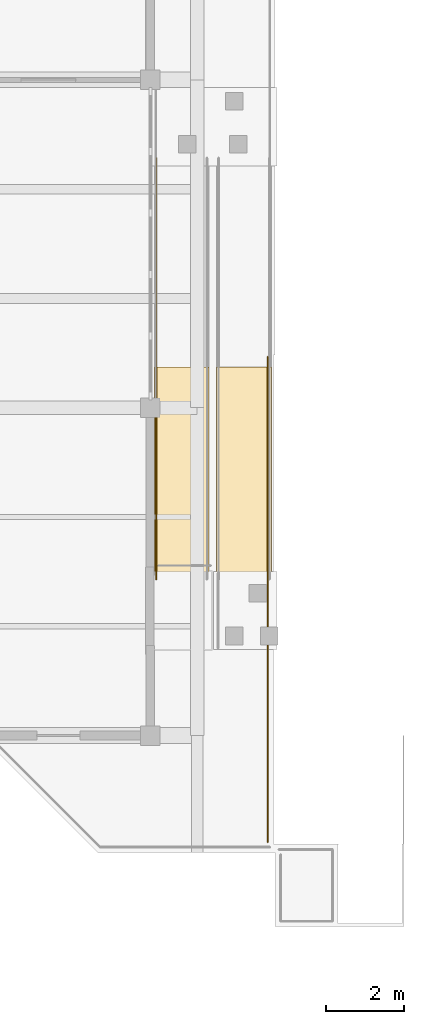
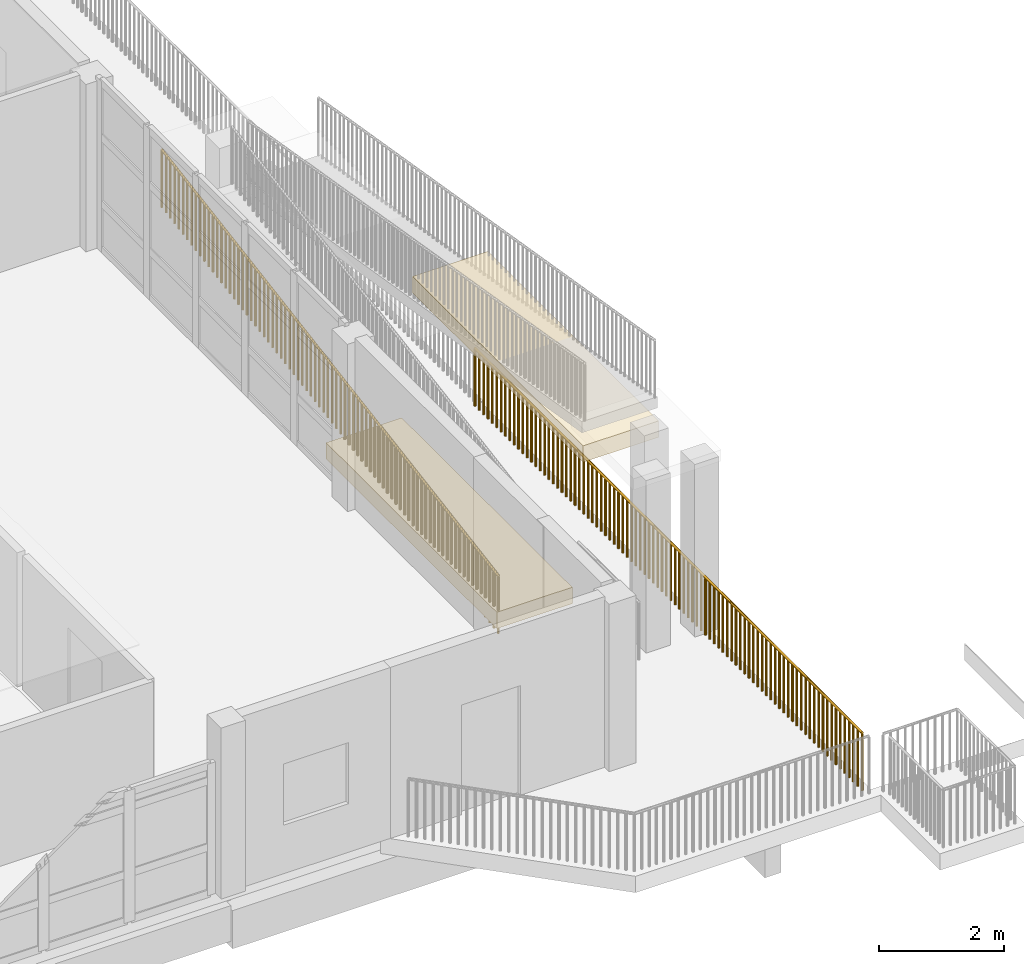
# One storey, part 30 of 33: 2 coverings, 2 railings.
"""IFC4 building model written with IfcOpenShell, lengths in metres."""

from ifc_helpers import new_model, si_unit, direction, frame, origin, origin_2d, place, context, subcontext, project, spatial, rectangle, circle, extrude, material, layer, layer_set, type_object, element, save


model = new_model("IFC4")

# Units and contexts
model_context = context("Model", 3, precision=1e-05, world=origin(), true_north=direction((0.0, 1.0)))
body_context = subcontext(model_context, "Body", "Model", "MODEL_VIEW")
ifc_project = project(units=[si_unit("LENGTHUNIT", "METRE"), si_unit("AREAUNIT", "SQUARE_METRE"), si_unit("VOLUMEUNIT", "CUBIC_METRE"), si_unit("PLANEANGLEUNIT", "RADIAN"), si_unit("MASSUNIT", "GRAM", prefix="KILO")], contexts=[model_context])

# Site, building, storey
site_placement = place(None, origin())
site = spatial("IfcSite", under=ifc_project, at=site_placement, CompositionType="ELEMENT")
building_placement = place(site_placement, origin())
building = spatial("IfcBuilding", under=site, at=building_placement, Name="Vanh Quang Courtyard School", CompositionType="ELEMENT")
storey_placement = place(building_placement, frame((0.0, 0.0, 18.60009765625)))
storey = spatial("IfcBuildingStorey", under=building, at=storey_placement, Name="L05", CompositionType="ELEMENT", Elevation=18.60009765625)

# Coverings
ifc_material_1 = material(Name="Board-marked precast concrete C40/50", Category="concrete")
ifc_layer = layer(ifc_material_1, 0.239990234375)
ifc_layer_set = layer_set([ifc_layer], Name="Board-marked precast concrete C40/50")
covering_type = type_object("IfcCoveringType", Name="COV-HOOD-CONC", PredefinedType="CLADDING", material=ifc_layer_set)
for number, where, z_axis, x_axis, name in (
    (1, (110.60009765625, 78.10009765625, 0.1298828125), (0.0, 0.0, 1.0), (1.0, 0.0, 0.0), "Covering CH-01 (L05)"),
    (2, (112.199951171875, 78.10009765625, 2.830078125), (0.0, 0.0, 1.0), (1.0, 0.0, 0.0), "Covering CH-01 (L05)"),
):
    element("IfcCovering", number, at=place(storey_placement, frame(where, z_axis=z_axis, x_axis=x_axis)), inside=storey, type_object=covering_type, Name=name, PredefinedType="CLADDING", context=body_context, shape_type="SweptSolid", body=[
        extrude(rectangle(XDim=1.39990234375, YDim=5.47998046875, at=origin_2d()), origin(), (0.0, 0.0, 1.0), 0.320068359375),
    ])

# Railings
ifc_material_2 = material(Name="Galvanised painted steel EN 10025-2 S355J2", Category="steel")
railing_type = type_object("IfcRailingType", Name="RAIL-GUARD-1150", PredefinedType="BALUSTRADE", material=ifc_material_2)
railing_1_placement = place(storey_placement, frame((112.81005859375, 81.10009765625, 0.0)))
element("IfcRailing", 3, at=railing_1_placement, inside=storey, type_object=railing_type, Name="Railing GR-01 (L05)", PredefinedType="BALUSTRADE", context=body_context, shape_type="SweptSolid", body=[
    extrude(circle(Radius=0.02392578125, at=origin_2d()), frame((0.0, 0.0, 1.1259765625), z_axis=(0.0, -1.0, 0.0), x_axis=(1.0, 0.0, 0.0)), (0.0, 0.0, 1.0), 12.43017578125),
    extrude(circle(Radius=0.02099609375, at=origin_2d()), origin(), (0.0, 0.0, 1.0), 1.101806640625),
    extrude(circle(Radius=0.02099609375, at=origin_2d()), frame((0.0, -0.1396484375, 0.0)), (0.0, 0.0, 1.0), 1.101806640625),
    extrude(circle(Radius=0.02099609375, at=origin_2d()), frame((0.0, -0.279296875, 0.0)), (0.0, 0.0, 1.0), 1.101806640625),
    extrude(circle(Radius=0.02099609375, at=origin_2d()), frame((0.0, -0.4189453125, 0.0)), (0.0, 0.0, 1.0), 1.101806640625),
    extrude(circle(Radius=0.02099609375, at=origin_2d()), frame((0.0, -0.55859375, 0.0)), (0.0, 0.0, 1.0), 1.101806640625),
    extrude(circle(Radius=0.02099609375, at=origin_2d()), frame((0.0, -0.6982421875, 0.0)), (0.0, 0.0, 1.0), 1.101806640625),
    extrude(circle(Radius=0.02099609375, at=origin_2d()), frame((0.0, -0.837890625, 0.0)), (0.0, 0.0, 1.0), 1.101806640625),
    extrude(circle(Radius=0.02099609375, at=origin_2d()), frame((0.0, -0.9775390625, 0.0)), (0.0, 0.0, 1.0), 1.101806640625),
    extrude(circle(Radius=0.02099609375, at=origin_2d()), frame((0.0, -1.117431640625, 0.0)), (0.0, 0.0, 1.0), 1.101806640625),
    extrude(circle(Radius=0.02099609375, at=origin_2d()), frame((0.0, -1.257080078125, 0.0)), (0.0, 0.0, 1.0), 1.101806640625),
    extrude(circle(Radius=0.02099609375, at=origin_2d()), frame((0.0, -1.396728515625, 0.0)), (0.0, 0.0, 1.0), 1.101806640625),
    extrude(circle(Radius=0.02099609375, at=origin_2d()), frame((0.0, -1.536376953125, 0.0)), (0.0, 0.0, 1.0), 1.101806640625),
    extrude(circle(Radius=0.02099609375, at=origin_2d()), frame((0.0, -1.676025390625, 0.0)), (0.0, 0.0, 1.0), 1.101806640625),
    extrude(circle(Radius=0.02099609375, at=origin_2d()), frame((0.0, -1.815673828125, 0.0)), (0.0, 0.0, 1.0), 1.101806640625),
    extrude(circle(Radius=0.02099609375, at=origin_2d()), frame((0.0, -1.955322265625, 0.0)), (0.0, 0.0, 1.0), 1.101806640625),
    extrude(circle(Radius=0.02099609375, at=origin_2d()), frame((0.0, -2.094970703125, 0.0)), (0.0, 0.0, 1.0), 1.101806640625),
    extrude(circle(Radius=0.02099609375, at=origin_2d()), frame((0.0, -2.234619140625, 0.0)), (0.0, 0.0, 1.0), 1.101806640625),
    extrude(circle(Radius=0.02099609375, at=origin_2d()), frame((0.0, -2.374267578125, 0.0)), (0.0, 0.0, 1.0), 1.101806640625),
    extrude(circle(Radius=0.02099609375, at=origin_2d()), frame((0.0, -2.513916015625, 0.0)), (0.0, 0.0, 1.0), 1.101806640625),
    extrude(circle(Radius=0.02099609375, at=origin_2d()), frame((0.0, -2.653564453125, 0.0)), (0.0, 0.0, 1.0), 1.101806640625),
    extrude(circle(Radius=0.02099609375, at=origin_2d()), frame((0.0, -2.793212890625, 0.0)), (0.0, 0.0, 1.0), 1.101806640625),
    extrude(circle(Radius=0.02099609375, at=origin_2d()), frame((0.0, -2.932861328125, 0.0)), (0.0, 0.0, 1.0), 1.101806640625),
    extrude(circle(Radius=0.02099609375, at=origin_2d()), frame((0.0, -3.072509765625, 0.0)), (0.0, 0.0, 1.0), 1.101806640625),
    extrude(circle(Radius=0.02099609375, at=origin_2d()), frame((0.0, -3.21240234375, 0.0)), (0.0, 0.0, 1.0), 1.101806640625),
    extrude(circle(Radius=0.02099609375, at=origin_2d()), frame((0.0, -3.35205078125, 0.0)), (0.0, 0.0, 1.0), 1.101806640625),
    extrude(circle(Radius=0.02099609375, at=origin_2d()), frame((0.0, -3.49169921875, 0.0)), (0.0, 0.0, 1.0), 1.101806640625),
    extrude(circle(Radius=0.02099609375, at=origin_2d()), frame((0.0, -3.63134765625, 0.0)), (0.0, 0.0, 1.0), 1.101806640625),
    extrude(circle(Radius=0.02099609375, at=origin_2d()), frame((0.0, -3.77099609375, 0.0)), (0.0, 0.0, 1.0), 1.101806640625),
    extrude(circle(Radius=0.02099609375, at=origin_2d()), frame((0.0, -3.91064453125, 0.0)), (0.0, 0.0, 1.0), 1.101806640625),
    extrude(circle(Radius=0.02099609375, at=origin_2d()), frame((0.0, -4.05029296875, 0.0)), (0.0, 0.0, 1.0), 1.101806640625),
    extrude(circle(Radius=0.02099609375, at=origin_2d()), frame((0.0, -4.18994140625, 0.0)), (0.0, 0.0, 1.0), 1.101806640625),
    extrude(circle(Radius=0.02099609375, at=origin_2d()), frame((0.0, -4.32958984375, 0.0)), (0.0, 0.0, 1.0), 1.101806640625),
    extrude(circle(Radius=0.02099609375, at=origin_2d()), frame((0.0, -4.46923828125, 0.0)), (0.0, 0.0, 1.0), 1.101806640625),
    extrude(circle(Radius=0.02099609375, at=origin_2d()), frame((0.0, -4.60888671875, 0.0)), (0.0, 0.0, 1.0), 1.101806640625),
    extrude(circle(Radius=0.02099609375, at=origin_2d()), frame((0.0, -4.74853515625, 0.0)), (0.0, 0.0, 1.0), 1.101806640625),
    extrude(circle(Radius=0.02099609375, at=origin_2d()), frame((0.0, -4.88818359375, 0.0)), (0.0, 0.0, 1.0), 1.101806640625),
    extrude(circle(Radius=0.02099609375, at=origin_2d()), frame((0.0, -5.02783203125, 0.0)), (0.0, 0.0, 1.0), 1.101806640625),
    extrude(circle(Radius=0.02099609375, at=origin_2d()), frame((0.0, -5.16748046875, 0.0)), (0.0, 0.0, 1.0), 1.101806640625),
    extrude(circle(Radius=0.02099609375, at=origin_2d()), frame((0.0, -5.307373046875, 0.0)), (0.0, 0.0, 1.0), 1.101806640625),
    extrude(circle(Radius=0.02099609375, at=origin_2d()), frame((0.0, -5.447021484375, 0.0)), (0.0, 0.0, 1.0), 1.101806640625),
    extrude(circle(Radius=0.02099609375, at=origin_2d()), frame((0.0, -5.586669921875, 0.0)), (0.0, 0.0, 1.0), 1.101806640625),
    extrude(circle(Radius=0.02099609375, at=origin_2d()), frame((0.0, -5.726318359375, 0.0)), (0.0, 0.0, 1.0), 1.101806640625),
    extrude(circle(Radius=0.02099609375, at=origin_2d()), frame((0.0, -5.865966796875, 0.0)), (0.0, 0.0, 1.0), 1.101806640625),
    extrude(circle(Radius=0.02099609375, at=origin_2d()), frame((0.0, -6.005615234375, 0.0)), (0.0, 0.0, 1.0), 1.101806640625),
    extrude(circle(Radius=0.02099609375, at=origin_2d()), frame((0.0, -6.145263671875, 0.0)), (0.0, 0.0, 1.0), 1.101806640625),
    extrude(circle(Radius=0.02099609375, at=origin_2d()), frame((0.0, -6.284912109375, 0.0)), (0.0, 0.0, 1.0), 1.101806640625),
    extrude(circle(Radius=0.02099609375, at=origin_2d()), frame((0.0, -6.424560546875, 0.0)), (0.0, 0.0, 1.0), 1.101806640625),
    extrude(circle(Radius=0.02099609375, at=origin_2d()), frame((0.0, -6.564208984375, 0.0)), (0.0, 0.0, 1.0), 1.101806640625),
    extrude(circle(Radius=0.02099609375, at=origin_2d()), frame((0.0, -6.703857421875, 0.0)), (0.0, 0.0, 1.0), 1.101806640625),
    extrude(circle(Radius=0.02099609375, at=origin_2d()), frame((0.0, -6.843505859375, 0.0)), (0.0, 0.0, 1.0), 1.101806640625),
    extrude(circle(Radius=0.02099609375, at=origin_2d()), frame((0.0, -6.983154296875, 0.0)), (0.0, 0.0, 1.0), 1.101806640625),
    extrude(circle(Radius=0.02099609375, at=origin_2d()), frame((0.0, -7.122802734375, 0.0)), (0.0, 0.0, 1.0), 1.101806640625),
    extrude(circle(Radius=0.02099609375, at=origin_2d()), frame((0.0, -7.2626953125, 0.0)), (0.0, 0.0, 1.0), 1.101806640625),
    extrude(circle(Radius=0.02099609375, at=origin_2d()), frame((0.0, -7.40234375, 0.0)), (0.0, 0.0, 1.0), 1.101806640625),
    extrude(circle(Radius=0.02099609375, at=origin_2d()), frame((0.0, -7.5419921875, 0.0)), (0.0, 0.0, 1.0), 1.101806640625),
    extrude(circle(Radius=0.02099609375, at=origin_2d()), frame((0.0, -7.681640625, 0.0)), (0.0, 0.0, 1.0), 1.101806640625),
    extrude(circle(Radius=0.02099609375, at=origin_2d()), frame((0.0, -7.8212890625, 0.0)), (0.0, 0.0, 1.0), 1.101806640625),
    extrude(circle(Radius=0.02099609375, at=origin_2d()), frame((0.0, -7.9609375, 0.0)), (0.0, 0.0, 1.0), 1.101806640625),
    extrude(circle(Radius=0.02099609375, at=origin_2d()), frame((0.0, -8.1005859375, 0.0)), (0.0, 0.0, 1.0), 1.101806640625),
    extrude(circle(Radius=0.02099609375, at=origin_2d()), frame((0.0, -8.240234375, 0.0)), (0.0, 0.0, 1.0), 1.101806640625),
    extrude(circle(Radius=0.02099609375, at=origin_2d()), frame((0.0, -8.3798828125, 0.0)), (0.0, 0.0, 1.0), 1.101806640625),
    extrude(circle(Radius=0.02099609375, at=origin_2d()), frame((0.0, -8.51953125, 0.0)), (0.0, 0.0, 1.0), 1.101806640625),
    extrude(circle(Radius=0.02099609375, at=origin_2d()), frame((0.0, -8.6591796875, 0.0)), (0.0, 0.0, 1.0), 1.101806640625),
    extrude(circle(Radius=0.02099609375, at=origin_2d()), frame((0.0, -8.798828125, 0.0)), (0.0, 0.0, 1.0), 1.101806640625),
    extrude(circle(Radius=0.02099609375, at=origin_2d()), frame((0.0, -8.9384765625, 0.0)), (0.0, 0.0, 1.0), 1.101806640625),
    extrude(circle(Radius=0.02099609375, at=origin_2d()), frame((0.0, -9.078125, 0.0)), (0.0, 0.0, 1.0), 1.101806640625),
    extrude(circle(Radius=0.02099609375, at=origin_2d()), frame((0.0, -9.2177734375, 0.0)), (0.0, 0.0, 1.0), 1.101806640625),
    extrude(circle(Radius=0.02099609375, at=origin_2d()), frame((0.0, -9.357666015625, 0.0)), (0.0, 0.0, 1.0), 1.101806640625),
    extrude(circle(Radius=0.02099609375, at=origin_2d()), frame((0.0, -9.497314453125, 0.0)), (0.0, 0.0, 1.0), 1.101806640625),
    extrude(circle(Radius=0.02099609375, at=origin_2d()), frame((0.0, -9.636962890625, 0.0)), (0.0, 0.0, 1.0), 1.101806640625),
    extrude(circle(Radius=0.02099609375, at=origin_2d()), frame((0.0, -9.776611328125, 0.0)), (0.0, 0.0, 1.0), 1.101806640625),
    extrude(circle(Radius=0.02099609375, at=origin_2d()), frame((0.0, -9.916259765625, 0.0)), (0.0, 0.0, 1.0), 1.101806640625),
    extrude(circle(Radius=0.02099609375, at=origin_2d()), frame((0.0, -10.055908203125, 0.0)), (0.0, 0.0, 1.0), 1.101806640625),
    extrude(circle(Radius=0.02099609375, at=origin_2d()), frame((0.0, -10.195556640625, 0.0)), (0.0, 0.0, 1.0), 1.101806640625),
    extrude(circle(Radius=0.02099609375, at=origin_2d()), frame((0.0, -10.335205078125, 0.0)), (0.0, 0.0, 1.0), 1.101806640625),
    extrude(circle(Radius=0.02099609375, at=origin_2d()), frame((0.0, -10.474853515625, 0.0)), (0.0, 0.0, 1.0), 1.101806640625),
    extrude(circle(Radius=0.02099609375, at=origin_2d()), frame((0.0, -10.614501953125, 0.0)), (0.0, 0.0, 1.0), 1.101806640625),
    extrude(circle(Radius=0.02099609375, at=origin_2d()), frame((0.0, -10.754150390625, 0.0)), (0.0, 0.0, 1.0), 1.101806640625),
    extrude(circle(Radius=0.02099609375, at=origin_2d()), frame((0.0, -10.893798828125, 0.0)), (0.0, 0.0, 1.0), 1.101806640625),
    extrude(circle(Radius=0.02099609375, at=origin_2d()), frame((0.0, -11.033447265625, 0.0)), (0.0, 0.0, 1.0), 1.101806640625),
    extrude(circle(Radius=0.02099609375, at=origin_2d()), frame((0.0, -11.173095703125, 0.0)), (0.0, 0.0, 1.0), 1.101806640625),
    extrude(circle(Radius=0.02099609375, at=origin_2d()), frame((0.0, -11.312744140625, 0.0)), (0.0, 0.0, 1.0), 1.101806640625),
    extrude(circle(Radius=0.02099609375, at=origin_2d()), frame((0.0, -11.45263671875, 0.0)), (0.0, 0.0, 1.0), 1.101806640625),
    extrude(circle(Radius=0.02099609375, at=origin_2d()), frame((0.0, -11.59228515625, 0.0)), (0.0, 0.0, 1.0), 1.101806640625),
    extrude(circle(Radius=0.02099609375, at=origin_2d()), frame((0.0, -11.73193359375, 0.0)), (0.0, 0.0, 1.0), 1.101806640625),
    extrude(circle(Radius=0.02099609375, at=origin_2d()), frame((0.0, -11.87158203125, 0.0)), (0.0, 0.0, 1.0), 1.101806640625),
    extrude(circle(Radius=0.02099609375, at=origin_2d()), frame((0.0, -12.01123046875, 0.0)), (0.0, 0.0, 1.0), 1.101806640625),
    extrude(circle(Radius=0.02099609375, at=origin_2d()), frame((0.0, -12.15087890625, 0.0)), (0.0, 0.0, 1.0), 1.101806640625),
    extrude(circle(Radius=0.02099609375, at=origin_2d()), frame((0.0, -12.29052734375, 0.0)), (0.0, 0.0, 1.0), 1.101806640625),
    extrude(circle(Radius=0.02099609375, at=origin_2d()), frame((0.0, -12.43017578125, 0.0)), (0.0, 0.0, 1.0), 1.101806640625),
])
railing_2_placement = place(storey_placement, frame((109.949951171875, 75.39990234375, 0.0)))
element("IfcRailing", 4, at=railing_2_placement, inside=storey, type_object=railing_type, Name="Railing GR-01 (L05)", PredefinedType="BALUSTRADE", context=body_context, shape_type="SweptSolid", body=[
    extrude(circle(Radius=0.02392578125, at=origin_2d()), frame((0.0, 0.0, 1.1259765625), z_axis=(0.0, 0.986396936911, 0.164380907813), x_axis=(-1.0, 0.0, 0.0)), (0.0, 0.0, 1.0), 10.948974609375),
    extrude(circle(Radius=0.02099609375, at=origin_2d()), origin(), (0.0, 0.0, 1.0), 1.101806640625),
    extrude(circle(Radius=0.02099609375, at=origin_2d()), frame((0.0, 0.13671875, 0.022705078125)), (0.0, 0.0, 1.0), 1.101806640625),
    extrude(circle(Radius=0.02099609375, at=origin_2d()), frame((0.0, 0.2734375, 0.045654296875)), (0.0, 0.0, 1.0), 1.101806640625),
    extrude(circle(Radius=0.02099609375, at=origin_2d()), frame((0.0, 0.41015625, 0.068359375)), (0.0, 0.0, 1.0), 1.101806640625),
    extrude(circle(Radius=0.02099609375, at=origin_2d()), frame((0.0, 0.546875, 0.091064453125)), (0.0, 0.0, 1.0), 1.101806640625),
    extrude(circle(Radius=0.02099609375, at=origin_2d()), frame((0.0, 0.68359375, 0.114013671875)), (0.0, 0.0, 1.0), 1.101806640625),
    extrude(circle(Radius=0.02099609375, at=origin_2d()), frame((0.0, 0.8203125, 0.13671875)), (0.0, 0.0, 1.0), 1.101806640625),
    extrude(circle(Radius=0.02099609375, at=origin_2d()), frame((0.0, 0.95703125, 0.159423828125)), (0.0, 0.0, 1.0), 1.101806640625),
    extrude(circle(Radius=0.02099609375, at=origin_2d()), frame((0.0, 1.09375, 0.182373046875)), (0.0, 0.0, 1.0), 1.101806640625),
    extrude(circle(Radius=0.02099609375, at=origin_2d()), frame((0.0, 1.23046875, 0.205078125)), (0.0, 0.0, 1.0), 1.101806640625),
    extrude(circle(Radius=0.02099609375, at=origin_2d()), frame((0.0, 1.3671875, 0.227783203125)), (0.0, 0.0, 1.0), 1.101806640625),
    extrude(circle(Radius=0.02099609375, at=origin_2d()), frame((0.0, 1.50390625, 0.25048828125)), (0.0, 0.0, 1.0), 1.101806640625),
    extrude(circle(Radius=0.02099609375, at=origin_2d()), frame((0.0, 1.640625, 0.2734375)), (0.0, 0.0, 1.0), 1.101806640625),
    extrude(circle(Radius=0.02099609375, at=origin_2d()), frame((0.0, 1.77734375, 0.296142578125)), (0.0, 0.0, 1.0), 1.101806640625),
    extrude(circle(Radius=0.02099609375, at=origin_2d()), frame((0.0, 1.913818359375, 0.31884765625)), (0.0, 0.0, 1.0), 1.101806640625),
    extrude(circle(Radius=0.02099609375, at=origin_2d()), frame((0.0, 2.050537109375, 0.341796875)), (0.0, 0.0, 1.0), 1.101806640625),
    extrude(circle(Radius=0.02099609375, at=origin_2d()), frame((0.0, 2.187255859375, 0.364501953125)), (0.0, 0.0, 1.0), 1.101806640625),
    extrude(circle(Radius=0.02099609375, at=origin_2d()), frame((0.0, 2.323974609375, 0.38720703125)), (0.0, 0.0, 1.0), 1.101806640625),
    extrude(circle(Radius=0.02099609375, at=origin_2d()), frame((0.0, 2.460693359375, 0.41015625)), (0.0, 0.0, 1.0), 1.101806640625),
    extrude(circle(Radius=0.02099609375, at=origin_2d()), frame((0.0, 2.597412109375, 0.432861328125)), (0.0, 0.0, 1.0), 1.101806640625),
    extrude(circle(Radius=0.02099609375, at=origin_2d()), frame((0.0, 2.734130859375, 0.45556640625)), (0.0, 0.0, 1.0), 1.101806640625),
    extrude(circle(Radius=0.02099609375, at=origin_2d()), frame((0.0, 2.870849609375, 0.478515625)), (0.0, 0.0, 1.0), 1.101806640625),
    extrude(circle(Radius=0.02099609375, at=origin_2d()), frame((0.0, 3.007568359375, 0.501220703125)), (0.0, 0.0, 1.0), 1.101806640625),
    extrude(circle(Radius=0.02099609375, at=origin_2d()), frame((0.0, 3.144287109375, 0.52392578125)), (0.0, 0.0, 1.0), 1.101806640625),
    extrude(circle(Radius=0.02099609375, at=origin_2d()), frame((0.0, 3.281005859375, 0.546875)), (0.0, 0.0, 1.0), 1.101806640625),
    extrude(circle(Radius=0.02099609375, at=origin_2d()), frame((0.0, 3.417724609375, 0.569580078125)), (0.0, 0.0, 1.0), 1.101806640625),
    extrude(circle(Radius=0.02099609375, at=origin_2d()), frame((0.0, 3.554443359375, 0.59228515625)), (0.0, 0.0, 1.0), 1.101806640625),
    extrude(circle(Radius=0.02099609375, at=origin_2d()), frame((0.0, 3.691162109375, 0.615234375)), (0.0, 0.0, 1.0), 1.101806640625),
    extrude(circle(Radius=0.02099609375, at=origin_2d()), frame((0.0, 3.827880859375, 0.637939453125)), (0.0, 0.0, 1.0), 1.101806640625),
    extrude(circle(Radius=0.02099609375, at=origin_2d()), frame((0.0, 3.964599609375, 0.66064453125)), (0.0, 0.0, 1.0), 1.101806640625),
    extrude(circle(Radius=0.02099609375, at=origin_2d()), frame((0.0, 4.101318359375, 0.683349609375)), (0.0, 0.0, 1.0), 1.101806640625),
    extrude(circle(Radius=0.02099609375, at=origin_2d()), frame((0.0, 4.238037109375, 0.706298828125)), (0.0, 0.0, 1.0), 1.101806640625),
    extrude(circle(Radius=0.02099609375, at=origin_2d()), frame((0.0, 4.374755859375, 0.72900390625)), (0.0, 0.0, 1.0), 1.101806640625),
    extrude(circle(Radius=0.02099609375, at=origin_2d()), frame((0.0, 4.511474609375, 0.751708984375)), (0.0, 0.0, 1.0), 1.101806640625),
    extrude(circle(Radius=0.02099609375, at=origin_2d()), frame((0.0, 4.648193359375, 0.774658203125)), (0.0, 0.0, 1.0), 1.101806640625),
    extrude(circle(Radius=0.02099609375, at=origin_2d()), frame((0.0, 4.784912109375, 0.79736328125)), (0.0, 0.0, 1.0), 1.101806640625),
    extrude(circle(Radius=0.02099609375, at=origin_2d()), frame((0.0, 4.921630859375, 0.820068359375)), (0.0, 0.0, 1.0), 1.101806640625),
    extrude(circle(Radius=0.02099609375, at=origin_2d()), frame((0.0, 5.058349609375, 0.843017578125)), (0.0, 0.0, 1.0), 1.101806640625),
    extrude(circle(Radius=0.02099609375, at=origin_2d()), frame((0.0, 5.195068359375, 0.86572265625)), (0.0, 0.0, 1.0), 1.101806640625),
    extrude(circle(Radius=0.02099609375, at=origin_2d()), frame((0.0, 5.331787109375, 0.888427734375)), (0.0, 0.0, 1.0), 1.101806640625),
    extrude(circle(Radius=0.02099609375, at=origin_2d()), frame((0.0, 5.46826171875, 0.911376953125)), (0.0, 0.0, 1.0), 1.101806640625),
    extrude(circle(Radius=0.02099609375, at=origin_2d()), frame((0.0, 5.60498046875, 0.93408203125)), (0.0, 0.0, 1.0), 1.101806640625),
    extrude(circle(Radius=0.02099609375, at=origin_2d()), frame((0.0, 5.74169921875, 0.956787109375)), (0.0, 0.0, 1.0), 1.101806640625),
    extrude(circle(Radius=0.02099609375, at=origin_2d()), frame((0.0, 5.87841796875, 0.979736328125)), (0.0, 0.0, 1.0), 1.101806640625),
    extrude(circle(Radius=0.02099609375, at=origin_2d()), frame((0.0, 6.01513671875, 1.00244140625)), (0.0, 0.0, 1.0), 1.101806640625),
    extrude(circle(Radius=0.02099609375, at=origin_2d()), frame((0.0, 6.15185546875, 1.025146484375)), (0.0, 0.0, 1.0), 1.101806640625),
    extrude(circle(Radius=0.02099609375, at=origin_2d()), frame((0.0, 6.28857421875, 1.048095703125)), (0.0, 0.0, 1.0), 1.101806640625),
    extrude(circle(Radius=0.02099609375, at=origin_2d()), frame((0.0, 6.42529296875, 1.07080078125)), (0.0, 0.0, 1.0), 1.101806640625),
    extrude(circle(Radius=0.02099609375, at=origin_2d()), frame((0.0, 6.56201171875, 1.093505859375)), (0.0, 0.0, 1.0), 1.101806640625),
    extrude(circle(Radius=0.02099609375, at=origin_2d()), frame((0.0, 6.69873046875, 1.116455078125)), (0.0, 0.0, 1.0), 1.101806640625),
    extrude(circle(Radius=0.02099609375, at=origin_2d()), frame((0.0, 6.83544921875, 1.13916015625)), (0.0, 0.0, 1.0), 1.101806640625),
    extrude(circle(Radius=0.02099609375, at=origin_2d()), frame((0.0, 6.97216796875, 1.161865234375)), (0.0, 0.0, 1.0), 1.101806640625),
    extrude(circle(Radius=0.02099609375, at=origin_2d()), frame((0.0, 7.10888671875, 1.1845703125)), (0.0, 0.0, 1.0), 1.101806640625),
    extrude(circle(Radius=0.02099609375, at=origin_2d()), frame((0.0, 7.24560546875, 1.20751953125)), (0.0, 0.0, 1.0), 1.101806640625),
    extrude(circle(Radius=0.02099609375, at=origin_2d()), frame((0.0, 7.38232421875, 1.230224609375)), (0.0, 0.0, 1.0), 1.101806640625),
    extrude(circle(Radius=0.02099609375, at=origin_2d()), frame((0.0, 7.51904296875, 1.2529296875)), (0.0, 0.0, 1.0), 1.101806640625),
    extrude(circle(Radius=0.02099609375, at=origin_2d()), frame((0.0, 7.65576171875, 1.27587890625)), (0.0, 0.0, 1.0), 1.101806640625),
    extrude(circle(Radius=0.02099609375, at=origin_2d()), frame((0.0, 7.79248046875, 1.298583984375)), (0.0, 0.0, 1.0), 1.101806640625),
    extrude(circle(Radius=0.02099609375, at=origin_2d()), frame((0.0, 7.92919921875, 1.3212890625)), (0.0, 0.0, 1.0), 1.101806640625),
    extrude(circle(Radius=0.02099609375, at=origin_2d()), frame((0.0, 8.06591796875, 1.34423828125)), (0.0, 0.0, 1.0), 1.101806640625),
    extrude(circle(Radius=0.02099609375, at=origin_2d()), frame((0.0, 8.20263671875, 1.366943359375)), (0.0, 0.0, 1.0), 1.101806640625),
    extrude(circle(Radius=0.02099609375, at=origin_2d()), frame((0.0, 8.33935546875, 1.3896484375)), (0.0, 0.0, 1.0), 1.101806640625),
    extrude(circle(Radius=0.02099609375, at=origin_2d()), frame((0.0, 8.47607421875, 1.41259765625)), (0.0, 0.0, 1.0), 1.101806640625),
    extrude(circle(Radius=0.02099609375, at=origin_2d()), frame((0.0, 8.61279296875, 1.435302734375)), (0.0, 0.0, 1.0), 1.101806640625),
    extrude(circle(Radius=0.02099609375, at=origin_2d()), frame((0.0, 8.74951171875, 1.4580078125)), (0.0, 0.0, 1.0), 1.101806640625),
    extrude(circle(Radius=0.02099609375, at=origin_2d()), frame((0.0, 8.88623046875, 1.48095703125)), (0.0, 0.0, 1.0), 1.101806640625),
    extrude(circle(Radius=0.02099609375, at=origin_2d()), frame((0.0, 9.022705078125, 1.503662109375)), (0.0, 0.0, 1.0), 1.101806640625),
    extrude(circle(Radius=0.02099609375, at=origin_2d()), frame((0.0, 9.159423828125, 1.5263671875)), (0.0, 0.0, 1.0), 1.101806640625),
    extrude(circle(Radius=0.02099609375, at=origin_2d()), frame((0.0, 9.296142578125, 1.54931640625)), (0.0, 0.0, 1.0), 1.101806640625),
    extrude(circle(Radius=0.02099609375, at=origin_2d()), frame((0.0, 9.432861328125, 1.572021484375)), (0.0, 0.0, 1.0), 1.101806640625),
    extrude(circle(Radius=0.02099609375, at=origin_2d()), frame((0.0, 9.569580078125, 1.5947265625)), (0.0, 0.0, 1.0), 1.101806640625),
    extrude(circle(Radius=0.02099609375, at=origin_2d()), frame((0.0, 9.706298828125, 1.617431640625)), (0.0, 0.0, 1.0), 1.101806640625),
    extrude(circle(Radius=0.02099609375, at=origin_2d()), frame((0.0, 9.843017578125, 1.640380859375)), (0.0, 0.0, 1.0), 1.101806640625),
    extrude(circle(Radius=0.02099609375, at=origin_2d()), frame((0.0, 9.979736328125, 1.6630859375)), (0.0, 0.0, 1.0), 1.101806640625),
    extrude(circle(Radius=0.02099609375, at=origin_2d()), frame((0.0, 10.116455078125, 1.685791015625)), (0.0, 0.0, 1.0), 1.101806640625),
    extrude(circle(Radius=0.02099609375, at=origin_2d()), frame((0.0, 10.253173828125, 1.708740234375)), (0.0, 0.0, 1.0), 1.101806640625),
    extrude(circle(Radius=0.02099609375, at=origin_2d()), frame((0.0, 10.389892578125, 1.7314453125)), (0.0, 0.0, 1.0), 1.101806640625),
    extrude(circle(Radius=0.02099609375, at=origin_2d()), frame((0.0, 10.526611328125, 1.754150390625)), (0.0, 0.0, 1.0), 1.101806640625),
    extrude(circle(Radius=0.02099609375, at=origin_2d()), frame((0.0, 10.663330078125, 1.777099609375)), (0.0, 0.0, 1.0), 1.101806640625),
    extrude(circle(Radius=0.02099609375, at=origin_2d()), frame((0.0, 10.800048828125, 1.7998046875)), (0.0, 0.0, 1.0), 1.101806640625),
])

save(model, "model.ifc")
